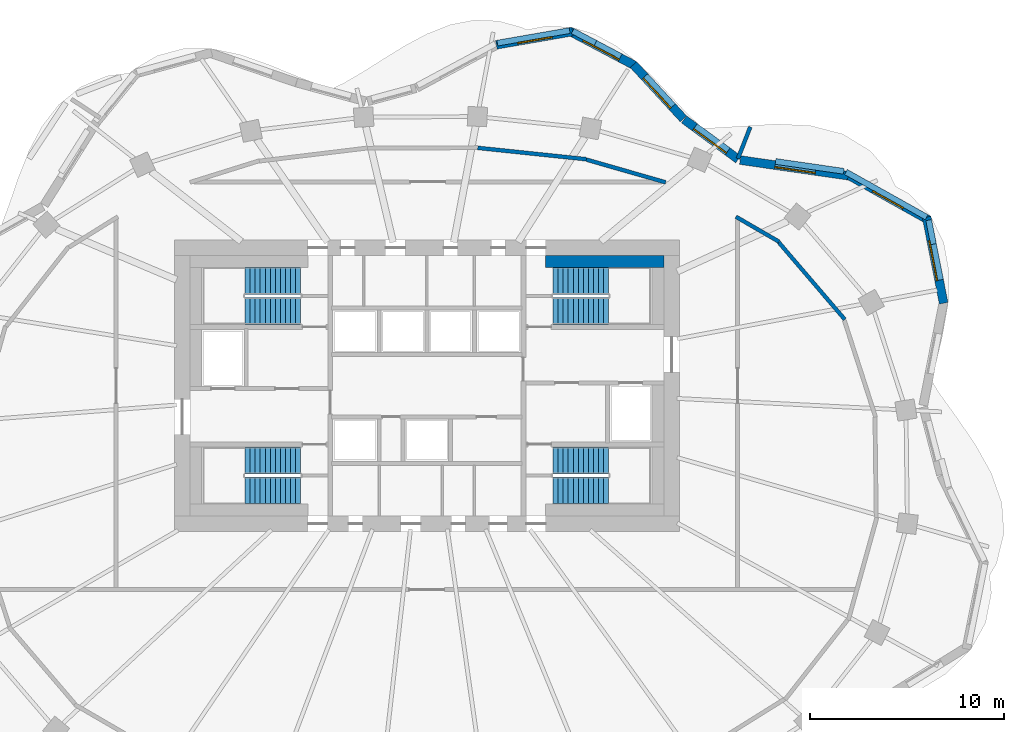
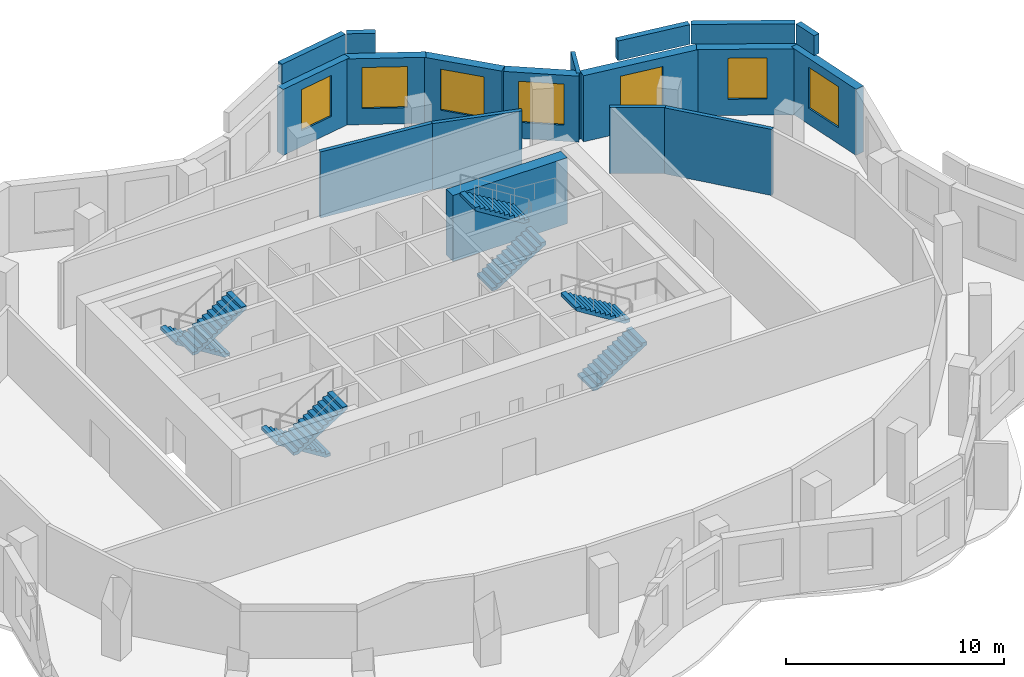
# One storey, part 7 of 8: 18 walls, 8 stair flights, 7 windows, 7 openings, 4 elements without a shape of their own.
"""IFC4 building model written with IfcOpenShell, lengths in metres."""

import ifcopenshell
import ifcopenshell.guid

model = None  # the IFC model being written
_history = None  # IfcOwnerHistory: only IFC2X3 demands one
_inside = {}  # id of a spatial element -> (the spatial element, [elements in it])
_under = {}  # id of a project, library or spatial element -> (it, [spatial elements below it])
_declared = {}  # id of a project -> (the project, [libraries it declares])
_typed = {}  # id of a type object -> (the type object, [elements of that type])
_made_of = {}  # id of a material, layer set ... -> (it, [elements and type objects made of it])


def new_model(schema):
    """Start an empty IFC model of exactly this schema.

    Asked for "IFC4X3", IfcOpenShell would pick the latest addendum, in which some entities
    have other attributes; the version numbers below select the first issue.
    IFC2X3 requires an IfcOwnerHistory on every rooted entity: one is made here for all.
    """
    global model, _history
    if schema == "IFC4X3":
        model = ifcopenshell.file(schema_version=(4, 3, 0, 0))
    else:
        model = ifcopenshell.file(schema=schema)
    _inside.clear()
    _under.clear()
    _declared.clear()
    _typed.clear()
    _made_of.clear()
    _history = None
    if model.schema == "IFC2X3":
        org = make("IfcOrganization", Name="unknown")
        user = make(
            "IfcPersonAndOrganization",
            ThePerson=make("IfcPerson", FamilyName="unknown"),
            TheOrganization=org,
        )
        app = make(
            "IfcApplication",
            ApplicationDeveloper=org,
            Version="unknown",
            ApplicationFullName="unknown",
            ApplicationIdentifier="unknown",
        )
        _history = make(
            "IfcOwnerHistory",
            OwningUser=user,
            OwningApplication=app,
            ChangeAction="ADDED",
            CreationDate=0,
        )
    return model


def make(cls, **values):
    """One entity of the class cls with the attributes given. An attribute that is None is left unset."""
    return model.create_entity(
        cls, **{name: value for name, value in values.items() if value is not None}
    )


def rooted(cls, **values):
    """An entity with a GlobalId (a new one), such as an element, a storey or a relation."""
    return make(cls, GlobalId=ifcopenshell.guid.new(), OwnerHistory=_history, **values)


def si_unit(unit_type, name, prefix=None):
    """IfcSIUnit, for example si_unit("LENGTHUNIT", "METRE", prefix="MILLI")."""
    return make("IfcSIUnit", UnitType=unit_type, Prefix=prefix, Name=name)


def assignment(units):
    """IfcUnitAssignment: the units of a project."""
    return None if units is None else make("IfcUnitAssignment", Units=units)


def point(xyz):
    """IfcCartesianPoint."""
    return None if xyz is None else make("IfcCartesianPoint", Coordinates=xyz)


def direction(xyz):
    """IfcDirection."""
    return None if xyz is None else make("IfcDirection", DirectionRatios=xyz)


def frame(location, z_axis=None, x_axis=None):
    """IfcAxis2Placement3D, a coordinate frame: its origin and axes. An axis left out is left unset."""
    return make(
        "IfcAxis2Placement3D",
        Location=point(location),
        Axis=direction(z_axis),
        RefDirection=direction(x_axis),
    )


def frame_2d(location, x_axis=None):
    """IfcAxis2Placement2D, a coordinate frame in the plane: its origin and x axis."""
    return make(
        "IfcAxis2Placement2D", Location=point(location), RefDirection=direction(x_axis)
    )


def origin():
    """The frame at (0, 0, 0) with its axes left unset."""
    return frame((0.0, 0.0, 0.0))


def place(relative_to, where):
    """IfcLocalPlacement: puts the frame where relative to a parent placement (None: the world)."""
    return make(
        "IfcLocalPlacement", PlacementRelTo=relative_to, RelativePlacement=where
    )


def context(
    kind, dimensions, precision=None, world=None, true_north=None, identifier=None
):
    """IfcGeometricRepresentationContext, for example the 3D "Model" context."""
    return make(
        "IfcGeometricRepresentationContext",
        ContextIdentifier=identifier,
        ContextType=kind,
        CoordinateSpaceDimension=dimensions,
        Precision=precision,
        WorldCoordinateSystem=world,
        TrueNorth=true_north,
    )


def subcontext(parent, identifier, kind, view, scale=None):
    """IfcGeometricRepresentationSubContext, for example "Body" below "Model"."""
    return make(
        "IfcGeometricRepresentationSubContext",
        ContextIdentifier=identifier,
        ContextType=kind,
        ParentContext=parent,
        TargetScale=scale,
        TargetView=view,
    )


def project(units=None, contexts=None):
    """IfcProject with its units and contexts."""
    return rooted(
        "IfcProject",
        Name="project",
        RepresentationContexts=contexts,
        UnitsInContext=assignment(units),
    )


def spatial(cls, under=None, at=None, **own):
    """A site, building, storey or space (cls), placed at a placement, below another one or the project."""
    s = rooted(cls, ObjectPlacement=at, **own)
    if under is not None:
        _under.setdefault(under.id(), (under, []))[1].append(s)
    return s


def polyline(points):
    """IfcPolyline through the points."""
    return make("IfcPolyline", Points=[point(p) for p in points])


def profile(cls, at=None, kind="AREA", **sizes):
    """A parametric profile (cls). Its sizes go by their IFC names, for example OverallWidth=200.0."""
    return make(cls, ProfileType=kind, Position=at, **sizes)


def rectangle(**sizes):
    """IfcRectangleProfileDef."""
    return profile("IfcRectangleProfileDef", **sizes)


def outline(outer, holes=None, kind="AREA"):
    """IfcArbitraryClosedProfileDef: a profile drawn as a closed curve; with holes, ...WithVoids."""
    if holes is None:
        return make("IfcArbitraryClosedProfileDef", ProfileType=kind, OuterCurve=outer)
    return make(
        "IfcArbitraryProfileDefWithVoids",
        ProfileType=kind,
        OuterCurve=outer,
        InnerCurves=holes,
    )


def extrude(swept, where, along, depth):
    """IfcExtrudedAreaSolid: the profile swept, set in the frame where, extruded along a direction by depth."""
    return make(
        "IfcExtrudedAreaSolid",
        SweptArea=swept,
        Position=where,
        ExtrudedDirection=direction(along),
        Depth=depth,
    )


def shape(context_of_items, identifier, shape_type, items):
    """IfcShapeRepresentation: the items that make up one representation, for example the "Body"."""
    return make(
        "IfcShapeRepresentation",
        ContextOfItems=context_of_items,
        RepresentationIdentifier=identifier,
        RepresentationType=shape_type,
        Items=items,
    )


def material(Name=None, Category=None):
    """IfcMaterial."""
    return make("IfcMaterial", Name=Name, Category=Category)


def layer(
    of_material, thickness, ventilated=None, Name=None, Category=None, Priority=None
):
    """IfcMaterialLayer: one layer of a wall or slab, of a material (None: an air gap)."""
    return make(
        "IfcMaterialLayer",
        Material=of_material,
        LayerThickness=thickness,
        IsVentilated=ventilated,
        Name=Name,
        Category=Category,
        Priority=Priority,
    )


def layer_set(layers, Name=None):
    """IfcMaterialLayerSet."""
    return make("IfcMaterialLayerSet", MaterialLayers=layers, LayerSetName=Name)


def made_of(thing, what):
    """Note that an element or type object is made of a material, layer set ...; save() writes the relation."""
    if what is not None:
        _made_of.setdefault(what.id(), (what, []))[1].append(thing)
    return thing


def type_object(cls, material=None, **own):
    """A type object (cls), such as IfcWallType, which elements share."""
    return made_of(rooted(cls, **own), material)


def element(
    cls,
    number,
    at=None,
    inside=None,
    cuts=None,
    type_object=None,
    material=None,
    context=None,
    identifier="Body",
    shape_type=None,
    held_by="IfcProductDefinitionShape",
    body=None,
    shapes=None,
    **own,
):
    """One element of the class cls, such as IfcWall. Its Tag is "e" and its number.

    at: its placement. inside: the storey or other place that contains it. cuts: it is an
    opening in that element (IfcRelVoidsElement). A single representation is given by context,
    identifier, shape_type and body (its items); several are given by shapes. held_by: the class
    of the entity that holds the representations. save() writes the other relations.
    """
    e = rooted(cls, Tag="e%d" % number, ObjectPlacement=at, **own)
    if body is not None:
        shapes = [shape(context, identifier, shape_type, body)]
    if shapes is not None:
        e.Representation = make(held_by, Representations=shapes)
    if inside is not None:
        _inside.setdefault(inside.id(), (inside, []))[1].append(e)
    if cuts is not None:
        rooted(
            "IfcRelVoidsElement", RelatingBuildingElement=cuts, RelatedOpeningElement=e
        )
    if type_object is not None:
        _typed.setdefault(type_object.id(), (type_object, []))[1].append(e)
    return made_of(e, material)


def fill(opening, filler):
    """IfcRelFillsElement: the door or window that sits in an opening."""
    return rooted(
        "IfcRelFillsElement",
        RelatingOpeningElement=opening,
        RelatedBuildingElement=filler,
    )


def aggregate(whole, parts):
    """IfcRelAggregates: a whole, such as a stair, and the parts it consists of."""
    return rooted("IfcRelAggregates", RelatingObject=whole, RelatedObjects=parts)


def save(model, path):
    """Write the relations noted so far, then the file.

    IfcRelAggregates (storeys below a building ...), IfcRelContainedInSpatialStructure (elements
    in a storey), IfcRelDefinesByType, IfcRelAssociatesMaterial and IfcRelDeclares: one each for
    every whole, place, type object, material and project.
    """
    for whole, parts in _under.values():
        aggregate(whole, parts)
    for where, things in _inside.values():
        rooted(
            "IfcRelContainedInSpatialStructure",
            RelatedElements=things,
            RelatingStructure=where,
        )
    for kind, things in _typed.values():
        rooted("IfcRelDefinesByType", RelatedObjects=things, RelatingType=kind)
    for what, things in _made_of.values():
        rooted("IfcRelAssociatesMaterial", RelatedObjects=things, RelatingMaterial=what)
    for by, libraries in _declared.values():
        rooted("IfcRelDeclares", RelatingContext=by, RelatedDefinitions=libraries)
    model.write(path)


model = new_model("IFC4")

# Units and contexts
model_context = context("Model", 3, precision=1e-05, world=origin(), true_north=direction((0.0, 1.0)))
body_context = subcontext(model_context, "Body", "Model", "MODEL_VIEW")
ifc_project = project(units=[si_unit("LENGTHUNIT", "METRE"), si_unit("AREAUNIT", "SQUARE_METRE"), si_unit("VOLUMEUNIT", "CUBIC_METRE"), si_unit("PLANEANGLEUNIT", "RADIAN"), si_unit("MASSUNIT", "GRAM", prefix="KILO")], contexts=[model_context])

# Site, building, storey
site_placement = place(None, origin())
site = spatial("IfcSite", under=ifc_project, at=site_placement, CompositionType="ELEMENT")
building_placement = place(site_placement, origin())
building = spatial("IfcBuilding", under=site, at=building_placement, Name="Rubra Terraces Tower", CompositionType="ELEMENT")
storey_placement = place(building_placement, frame((0.0, 0.0, 193.5)))
storey = spatial("IfcBuildingStorey", under=building, at=storey_placement, Name="L47", CompositionType="ELEMENT", Elevation=193.5)

# Wall, opening, window
ifc_material_1 = material(Name="Brick masonry red-brown", Category="masonry")
ifc_layer_1 = layer(ifc_material_1, 0.449951171875)
ifc_layer_set_1 = layer_set([ifc_layer_1], Name="Brick masonry red-brown")
wall_type_1 = type_object("IfcWallType", Name="Brick facade wall 450", PredefinedType="SOLIDWALL", material=ifc_layer_set_1)
wall_1_placement = place(storey_placement, frame((26.609619140625, 8.747802734375, 0.0), z_axis=(0.0, 0.0, 1.0), x_axis=(-0.193923166402, 0.981016720312, 0.0)))
wall_1 = element("IfcWall", 1, at=wall_1_placement, inside=storey, type_object=wall_type_1, Name="Facade wall L47 bay 3", PredefinedType="SOLIDWALL", context=body_context, shape_type="SweptSolid", body=[
    extrude(rectangle(XDim=4.518310546875, YDim=0.449951171875, at=frame_2d((2.25927734375, 0.0))), origin(), (0.0, 0.0, 1.0), 3.699951171875),
])
opening_1_placement = place(wall_1_placement, frame((1.209228515625, 0.0, 0.89990234375)))
opening_1 = element("IfcOpeningElement", 2, at=opening_1_placement, cuts=wall_1, Name="Opening W1B", PredefinedType="OPENING", context=body_context, shape_type="SweptSolid", body=[
    extrude(rectangle(XDim=2.10009765625, YDim=2.300048828125, at=frame_2d((1.050048828125, 1.14990234375))), frame((0.0, 0.23486328125, 0.0), z_axis=(0.0, -1.0, 0.0), x_axis=(1.0, 0.0, 0.0)), (0.0, 0.0, 1.0), 0.469970703125),
])
ifc_material_2 = material(Name="Clear glass in aluminium frame", Category="aluminium")
window_type_1 = type_object("IfcWindowType", Name="Fixed deep-set window tall storey 2100 x 2300", PartitioningType="SINGLE_PANEL", PredefinedType="WINDOW", material=ifc_material_2)
window_1_placement = place(opening_1_placement, origin())
window_1 = element("IfcWindow", 3, at=window_1_placement, inside=storey, type_object=window_type_1, Name="Window L47 bay 3", OverallHeight=2.300048828125, OverallWidth=2.10009765625, PartitioningType="SINGLE_PANEL", PredefinedType="WINDOW", context=body_context, shape_type="SweptSolid", body=[
    extrude(rectangle(XDim=2.10009765625, YDim=2.300048828125, at=frame_2d((1.050048828125, 1.14990234375))), frame((0.0, 0.135009765625, 0.0), z_axis=(0.0, -1.0, 0.0), x_axis=(1.0, 0.0, 0.0)), (0.0, 0.0, 1.0), 0.06005859375),
])
fill(opening_1, window_1)

wall_2_placement = place(storey_placement, frame((25.843994140625, 13.027587890625, 0.0), z_axis=(0.0, 0.0, 1.0), x_axis=(-0.872346398261, 0.488888291373, 0.0)))
wall_2 = element("IfcWall", 4, at=wall_2_placement, inside=storey, type_object=wall_type_1, Name="Facade wall L47 bay 4", PredefinedType="SOLIDWALL", context=body_context, shape_type="SweptSolid", body=[
    extrude(rectangle(XDim=4.696044921875, YDim=0.449951171875, at=frame_2d((2.34814453125, 0.0))), origin(), (0.0, 0.0, 1.0), 3.699951171875),
])
opening_2_placement = place(wall_2_placement, frame((1.447998046875, 0.0, 0.89990234375)))
opening_2 = element("IfcOpeningElement", 5, at=opening_2_placement, cuts=wall_2, Name="Opening W6B", PredefinedType="OPENING", context=body_context, shape_type="SweptSolid", body=[
    extrude(rectangle(XDim=1.800048828125, YDim=2.300048828125, at=frame_2d((0.89990234375, 1.14990234375))), frame((0.0, 0.23486328125, 0.0), z_axis=(0.0, -1.0, 0.0), x_axis=(1.0, 0.0, 0.0)), (0.0, 0.0, 1.0), 0.469970703125),
])
window_type_2 = type_object("IfcWindowType", Name="Fixed deep-set window at wind fin tall storey 1800 x 2300", PartitioningType="SINGLE_PANEL", PredefinedType="WINDOW", material=ifc_material_2)
window_2_placement = place(opening_2_placement, origin())
window_2 = element("IfcWindow", 6, at=window_2_placement, inside=storey, type_object=window_type_2, Name="Window L47 bay 4", OverallHeight=2.300048828125, OverallWidth=1.800048828125, PartitioningType="SINGLE_PANEL", PredefinedType="WINDOW", context=body_context, shape_type="SweptSolid", body=[
    extrude(rectangle(XDim=1.800048828125, YDim=2.300048828125, at=frame_2d((0.89990234375, 1.14990234375))), frame((0.0, 0.135009765625, 0.0), z_axis=(0.0, -1.0, 0.0), x_axis=(1.0, 0.0, 0.0)), (0.0, 0.0, 1.0), 0.06005859375),
])
fill(opening_2, window_2)

wall_3_placement = place(storey_placement, frame((21.8251953125, 15.297119140625, 0.0), z_axis=(0.0, 0.0, 1.0), x_axis=(-0.98971474215, 0.143054986527, 0.0)))
wall_3 = element("IfcWall", 7, at=wall_3_placement, inside=storey, type_object=wall_type_1, Name="Facade wall L47 bay 5", PredefinedType="SOLIDWALL", context=body_context, shape_type="SweptSolid", body=[
    extrude(rectangle(XDim=5.7529296875, YDim=0.449951171875, at=frame_2d((2.87646484375, 0.0))), origin(), (0.0, 0.0, 1.0), 3.699951171875),
])
opening_3_placement = place(wall_3_placement, frame((1.826416015625, 0.0, 0.89990234375)))
opening_3 = element("IfcOpeningElement", 8, at=opening_3_placement, cuts=wall_3, Name="Opening W1B", PredefinedType="OPENING", context=body_context, shape_type="SweptSolid", body=[
    extrude(rectangle(XDim=2.10009765625, YDim=2.300048828125, at=frame_2d((1.050048828125, 1.14990234375))), frame((0.0, 0.23486328125, 0.0), z_axis=(0.0, -1.0, 0.0), x_axis=(1.0, 0.0, 0.0)), (0.0, 0.0, 1.0), 0.469970703125),
])
window_3_placement = place(opening_3_placement, origin())
window_3 = element("IfcWindow", 9, at=window_3_placement, inside=storey, type_object=window_type_1, Name="Window L47 bay 5", OverallHeight=2.300048828125, OverallWidth=2.10009765625, PartitioningType="SINGLE_PANEL", PredefinedType="WINDOW", context=body_context, shape_type="SweptSolid", body=[
    extrude(rectangle(XDim=2.10009765625, YDim=2.300048828125, at=frame_2d((1.050048828125, 1.14990234375))), frame((0.0, 0.135009765625, 0.0), z_axis=(0.0, -1.0, 0.0), x_axis=(1.0, 0.0, 0.0)), (0.0, 0.0, 1.0), 0.06005859375),
])
fill(opening_3, window_3)

wall_4_placement = place(storey_placement, frame((16.03564453125, 16.15771484375, 0.0), z_axis=(0.0, 0.0, 1.0), x_axis=(-0.805181432967, 0.593028549064, 0.0)))
wall_4 = element("IfcWall", 10, at=wall_4_placement, inside=storey, type_object=wall_type_1, Name="Facade wall L47 bay 6", PredefinedType="SOLIDWALL", context=body_context, shape_type="SweptSolid", body=[
    extrude(rectangle(XDim=3.468505859375, YDim=0.449951171875, at=frame_2d((1.734375, 0.0))), origin(), (0.0, 0.0, 1.0), 3.699951171875),
])
opening_4_placement = place(wall_4_placement, frame((0.684326171875, 0.0, 0.89990234375)))
opening_4 = element("IfcOpeningElement", 11, at=opening_4_placement, cuts=wall_4, Name="Opening W1B", PredefinedType="OPENING", context=body_context, shape_type="SweptSolid", body=[
    extrude(rectangle(XDim=2.10009765625, YDim=2.300048828125, at=frame_2d((1.050048828125, 1.14990234375))), frame((0.0, 0.23486328125, 0.0), z_axis=(0.0, -1.0, 0.0), x_axis=(1.0, 0.0, 0.0)), (0.0, 0.0, 1.0), 0.469970703125),
])
window_4_placement = place(opening_4_placement, origin())
window_4 = element("IfcWindow", 12, at=window_4_placement, inside=storey, type_object=window_type_1, Name="Window L47 bay 6", OverallHeight=2.300048828125, OverallWidth=2.10009765625, PartitioningType="SINGLE_PANEL", PredefinedType="WINDOW", context=body_context, shape_type="SweptSolid", body=[
    extrude(rectangle(XDim=2.10009765625, YDim=2.300048828125, at=frame_2d((1.050048828125, 1.14990234375))), frame((0.0, 0.135009765625, 0.0), z_axis=(0.0, -1.0, 0.0), x_axis=(1.0, 0.0, 0.0)), (0.0, 0.0, 1.0), 0.06005859375),
])
fill(opening_4, window_4)

wall_5_placement = place(storey_placement, frame((13.20947265625, 18.242919921875, 0.0), z_axis=(0.0, 0.0, 1.0), x_axis=(-0.677612152497, 0.735419452278, 0.0)))
wall_5 = element("IfcWall", 13, at=wall_5_placement, inside=storey, type_object=wall_type_1, Name="Facade wall L47 bay 7", PredefinedType="SOLIDWALL", context=body_context, shape_type="SweptSolid", body=[
    extrude(rectangle(XDim=3.796875, YDim=0.449951171875, at=frame_2d((1.8984375, 0.0))), origin(), (0.0, 0.0, 1.0), 3.699951171875),
])
opening_5_placement = place(wall_5_placement, frame((0.848388671875, 0.0, 0.89990234375)))
opening_5 = element("IfcOpeningElement", 14, at=opening_5_placement, cuts=wall_5, Name="Opening W1B", PredefinedType="OPENING", context=body_context, shape_type="SweptSolid", body=[
    extrude(rectangle(XDim=2.10009765625, YDim=2.300048828125, at=frame_2d((1.050048828125, 1.14990234375))), frame((0.0, 0.23486328125, 0.0), z_axis=(0.0, -1.0, 0.0), x_axis=(1.0, 0.0, 0.0)), (0.0, 0.0, 1.0), 0.469970703125),
])
window_5_placement = place(opening_5_placement, origin())
window_5 = element("IfcWindow", 15, at=window_5_placement, inside=storey, type_object=window_type_1, Name="Window L47 bay 7", OverallHeight=2.300048828125, OverallWidth=2.10009765625, PartitioningType="SINGLE_PANEL", PredefinedType="WINDOW", context=body_context, shape_type="SweptSolid", body=[
    extrude(rectangle(XDim=2.10009765625, YDim=2.300048828125, at=frame_2d((1.050048828125, 1.14990234375))), frame((0.0, 0.135009765625, 0.0), z_axis=(0.0, -1.0, 0.0), x_axis=(1.0, 0.0, 0.0)), (0.0, 0.0, 1.0), 0.06005859375),
])
fill(opening_5, window_5)

wall_6_placement = place(storey_placement, frame((10.692626953125, 20.9931640625, 0.0), z_axis=(0.0, 0.0, 1.0), x_axis=(-0.883817790726, 0.46783128668, 0.0)))
wall_6 = element("IfcWall", 16, at=wall_6_placement, inside=storey, type_object=wall_type_1, Name="Facade wall L47 bay 8", PredefinedType="SOLIDWALL", context=body_context, shape_type="SweptSolid", body=[
    extrude(rectangle(XDim=3.776611328125, YDim=0.449951171875, at=frame_2d((1.88818359375, 0.0))), origin(), (0.0, 0.0, 1.0), 3.699951171875),
])
opening_6_placement = place(wall_6_placement, frame((0.83837890625, 0.0, 0.89990234375)))
opening_6 = element("IfcOpeningElement", 17, at=opening_6_placement, cuts=wall_6, Name="Opening W1B", PredefinedType="OPENING", context=body_context, shape_type="SweptSolid", body=[
    extrude(rectangle(XDim=2.10009765625, YDim=2.300048828125, at=frame_2d((1.050048828125, 1.14990234375))), frame((0.0, 0.23486328125, 0.0), z_axis=(0.0, -1.0, 0.0), x_axis=(1.0, 0.0, 0.0)), (0.0, 0.0, 1.0), 0.469970703125),
])
window_6_placement = place(opening_6_placement, origin())
window_6 = element("IfcWindow", 18, at=window_6_placement, inside=storey, type_object=window_type_1, Name="Window L47 bay 8", OverallHeight=2.300048828125, OverallWidth=2.10009765625, PartitioningType="SINGLE_PANEL", PredefinedType="WINDOW", context=body_context, shape_type="SweptSolid", body=[
    extrude(rectangle(XDim=2.10009765625, YDim=2.300048828125, at=frame_2d((1.050048828125, 1.14990234375))), frame((0.0, 0.135009765625, 0.0), z_axis=(0.0, -1.0, 0.0), x_axis=(1.0, 0.0, 0.0)), (0.0, 0.0, 1.0), 0.06005859375),
])
fill(opening_6, window_6)

wall_7_placement = place(storey_placement, frame((7.49853515625, 22.7373046875, 0.0), z_axis=(0.0, 0.0, 1.0), x_axis=(-0.98521220506, -0.171338585849, 0.0)))
wall_7 = element("IfcWall", 19, at=wall_7_placement, inside=storey, type_object=wall_type_1, Name="Facade wall L47 bay 9", PredefinedType="SOLIDWALL", context=body_context, shape_type="SweptSolid", body=[
    extrude(rectangle(XDim=3.979736328125, YDim=0.449951171875, at=frame_2d((1.98974609375, 0.0))), origin(), (0.0, 0.0, 1.0), 3.699951171875),
])
opening_7_placement = place(wall_7_placement, frame((1.08984375, 0.0, 0.89990234375)))
opening_7 = element("IfcOpeningElement", 20, at=opening_7_placement, cuts=wall_7, Name="Opening W6B", PredefinedType="OPENING", context=body_context, shape_type="SweptSolid", body=[
    extrude(rectangle(XDim=1.800048828125, YDim=2.300048828125, at=frame_2d((0.89990234375, 1.14990234375))), frame((0.0, 0.23486328125, 0.0), z_axis=(0.0, -1.0, 0.0), x_axis=(1.0, 0.0, 0.0)), (0.0, 0.0, 1.0), 0.469970703125),
])
window_7_placement = place(opening_7_placement, origin())
window_7 = element("IfcWindow", 21, at=window_7_placement, inside=storey, type_object=window_type_2, Name="Window L47 bay 9", OverallHeight=2.300048828125, OverallWidth=1.800048828125, PartitioningType="SINGLE_PANEL", PredefinedType="WINDOW", context=body_context, shape_type="SweptSolid", body=[
    extrude(rectangle(XDim=1.800048828125, YDim=2.300048828125, at=frame_2d((0.89990234375, 1.14990234375))), frame((0.0, 0.135009765625, 0.0), z_axis=(0.0, -1.0, 0.0), x_axis=(1.0, 0.0, 0.0)), (0.0, 0.0, 1.0), 0.06005859375),
])
fill(opening_7, window_7)

# Walls
ifc_layer_2 = layer(ifc_material_1, 0.300048828125)
ifc_layer_set_2 = layer_set([ifc_layer_2], Name="Brick masonry red-brown")
wall_type_2 = type_object("IfcWallType", Name="Brick parapet 300", PredefinedType="PARAPET", material=ifc_layer_set_2)
wall_8_placement = place(storey_placement, frame((26.084228515625, 11.791748046875, 3.89990234375), z_axis=(0.0, 0.0, 1.0), x_axis=(-0.193846183911, 0.981031934742, 0.0)))
element("IfcWall", 22, at=wall_8_placement, inside=storey, type_object=wall_type_2, Name="Parapet L47 bay 3", PredefinedType="PARAPET", context=body_context, shape_type="SweptSolid", body=[
    extrude(rectangle(XDim=1.261962890625, YDim=0.300048828125, at=frame_2d((0.630859375, 0.0))), origin(), (0.0, 0.0, 1.0), 1.10009765625),
])
wall_9_placement = place(storey_placement, frame((25.733642578125, 13.175537109375, 3.89990234375), z_axis=(0.0, 0.0, 1.0), x_axis=(-0.872345142407, 0.488890532245, 0.0)))
element("IfcWall", 23, at=wall_9_placement, inside=storey, type_object=wall_type_2, Name="Parapet L47 bay 4", PredefinedType="PARAPET", context=body_context, shape_type="SweptSolid", body=[
    extrude(rectangle(XDim=4.762939453125, YDim=0.300048828125, at=frame_2d((2.38134765625, 0.0))), origin(), (0.0, 0.0, 1.0), 1.10009765625),
])
wall_10_placement = place(storey_placement, frame((21.470703125, 15.540771484375, 3.89990234375), z_axis=(0.0, 0.0, 1.0), x_axis=(-0.989713234374, 0.143065417571, 0.0)))
element("IfcWall", 24, at=wall_10_placement, inside=storey, type_object=wall_type_2, Name="Parapet L47 bay 5", PredefinedType="PARAPET", context=body_context, shape_type="SweptSolid", body=[
    extrude(rectangle(XDim=3.5546875, YDim=0.300048828125, at=frame_2d((1.77734375, 0.0))), origin(), (0.0, 0.0, 1.0), 1.10009765625),
])
wall_11_placement = place(storey_placement, frame((8.681640625, 22.142578125, 3.89990234375), z_axis=(0.0, 0.0, 1.0), x_axis=(-0.883787916347, 0.467887720419, 0.0)))
element("IfcWall", 25, at=wall_11_placement, inside=storey, type_object=wall_type_2, Name="Parapet L47 bay 8", PredefinedType="PARAPET", context=body_context, shape_type="SweptSolid", body=[
    extrude(rectangle(XDim=1.3291015625, YDim=0.300048828125, at=frame_2d((0.66455078125, 0.0))), origin(), (0.0, 0.0, 1.0), 1.10009765625),
])
wall_12_placement = place(storey_placement, frame((7.35498046875, 22.78857421875, 3.89990234375), z_axis=(0.0, 0.0, 1.0), x_axis=(-0.985197529684, -0.171422949176, 0.0)))
element("IfcWall", 26, at=wall_12_placement, inside=storey, type_object=wall_type_2, Name="Parapet L47 bay 9", PredefinedType="PARAPET", context=body_context, shape_type="SweptSolid", body=[
    extrude(rectangle(XDim=3.77978515625, YDim=0.300048828125, at=frame_2d((1.889892578125, 0.0))), origin(), (0.0, 0.0, 1.0), 1.10009765625),
])
ifc_layer_3 = layer(ifc_material_1, 0.199951171875)
ifc_layer_set_3 = layer_set([ifc_layer_3], Name="Brick masonry red-brown")
wall_type_3 = type_object("IfcWallType", Name="Brick wind fin 200", PredefinedType="SOLIDWALL", material=ifc_layer_set_3)
wall_13_placement = place(storey_placement, frame((16.01904296875, 16.195068359375, 0.0), z_axis=(0.0, 0.0, 1.0), x_axis=(0.362641522028, 0.931928713208, 0.0)))
element("IfcWall", 27, at=wall_13_placement, inside=storey, type_object=wall_type_3, Name="Wind fin L47 4", PredefinedType="SOLIDWALL", context=body_context, shape_type="SweptSolid", body=[
    extrude(rectangle(XDim=1.749755859375, YDim=0.199951171875, at=frame_2d((0.875, 0.0))), origin(), (0.0, 0.0, 1.0), 3.699951171875),
])
ifc_material_3 = material(Name="Concrete C40", Category="concrete")
ifc_layer_4 = layer(ifc_material_3, 0.60009765625)
ifc_layer_set_4 = layer_set([ifc_layer_4], Name="Concrete C40")
wall_type_4 = type_object("IfcWallType", Name="Core lining wall 600 concrete", PredefinedType="SOLIDWALL", material=ifc_layer_set_4)
wall_14_placement = place(storey_placement, frame((12.199951171875, 10.89990234375, 0.0), z_axis=(0.0, 0.0, 1.0), x_axis=(-1.0, 0.0, 0.0)))
element("IfcWall", 28, at=wall_14_placement, inside=storey, type_object=wall_type_4, Name="CORE LINING WALL L47", PredefinedType="SOLIDWALL", context=body_context, shape_type="SweptSolid", body=[
    extrude(rectangle(XDim=6.079833984375, YDim=0.60009765625, at=frame_2d((3.0400390625, 0.0))), origin(), (0.0, 0.0, 1.0), 3.699951171875),
])
ifc_material_4 = material(Name="Blockwork", Category="masonry")
ifc_layer_5 = layer(ifc_material_4, 0.199951171875)
ifc_layer_set_5 = layer_set([ifc_layer_5], Name="Blockwork")
wall_type_5 = type_object("IfcWallType", Name="Corridor partition 200 blockwork", PredefinedType="PARTITIONING", material=ifc_layer_set_5)
wall_15_placement = place(storey_placement, frame((15.9130859375, 13.201904296875, 0.0), z_axis=(0.0, 0.0, 1.0), x_axis=(0.86524014554, -0.501357647339, 0.0)))
element("IfcWall", 29, at=wall_15_placement, inside=storey, type_object=wall_type_5, Name="Partition wall", PredefinedType="PARTITIONING", context=body_context, shape_type="SweptSolid", body=[
    extrude(rectangle(XDim=2.574951171875, YDim=0.199951171875, at=frame_2d((1.28759765625, 0.0))), origin(), (0.0, 0.0, 1.0), 3.699951171875),
])
wall_16_placement = place(storey_placement, frame((18.118896484375, 11.885009765625, 0.0), z_axis=(0.0, 0.0, 1.0), x_axis=(0.650510608515, -0.759497168006, 0.0)))
element("IfcWall", 30, at=wall_16_placement, inside=storey, type_object=wall_type_5, Name="Partition wall", PredefinedType="PARTITIONING", context=body_context, shape_type="SweptSolid", body=[
    extrude(rectangle(XDim=5.228271484375, YDim=0.199951171875, at=frame_2d((2.6142578125, 0.0))), origin(), (0.0, 0.0, 1.0), 3.699951171875),
])
wall_17_placement = place(storey_placement, frame((2.62109375, 16.748046875, 0.0), z_axis=(0.0, 0.0, 1.0), x_axis=(0.99455907377, -0.104174127222, 0.0)))
element("IfcWall", 31, at=wall_17_placement, inside=storey, type_object=wall_type_5, Name="Partition wall", PredefinedType="PARTITIONING", context=body_context, shape_type="SweptSolid", body=[
    extrude(rectangle(XDim=5.62451171875, YDim=0.199951171875, at=frame_2d((2.812255859375, 0.0))), origin(), (0.0, 0.0, 1.0), 3.699951171875),
])
wall_18_placement = place(storey_placement, frame((8.2119140625, 16.14404296875, 0.0), z_axis=(0.0, 0.0, 1.0), x_axis=(0.961195849484, -0.275866886261, 0.0)))
element("IfcWall", 32, at=wall_18_placement, inside=storey, type_object=wall_type_5, Name="Partition wall", PredefinedType="PARTITIONING", context=body_context, shape_type="SweptSolid", body=[
    extrude(rectangle(XDim=4.248779296875, YDim=0.199951171875, at=frame_2d((2.12451171875, 0.0))), origin(), (0.0, 0.0, 1.0), 3.699951171875),
])

# Stair, stair flights
stair_type = type_object("IfcStairType", Name="Core stair 1400", PredefinedType="HALF_TURN_STAIR", material=ifc_material_3)
stair_1_placement = place(storey_placement, origin())
stair_1 = element("IfcStair", 33, at=stair_1_placement, inside=storey, type_object=stair_type, Name="L47 Exit stair S1", PredefinedType="HALF_TURN_STAIR")
stair_flight_type = type_object("IfcStairFlightType", Name="Core stair flight 1400", PredefinedType="STRAIGHT", material=ifc_material_3)
stair_flight_1_placement = place(storey_placement, frame((-6.5, 0.64990234375, 0.0), z_axis=(0.0, 0.0, 1.0), x_axis=(-1.0, 0.0, 0.0)))
stair_flight_1 = element("IfcStairFlight", 34, at=stair_flight_1_placement, type_object=stair_flight_type, Name="S1 flight 1", NumberOfRisers=12, NumberOfTreads=11, PredefinedType="STRAIGHT", RiserHeight=0.1625, TreadLength=0.26, context=body_context, shape_type="SweptSolid", body=[
    extrude(outline(polyline([(0.0, 0.0), (0.0, 0.16259765625), (0.260009765625, 0.16259765625), (0.260009765625, 0.324951171875), (0.52001953125, 0.324951171875), (0.52001953125, 0.487548828125), (0.780029296875, 0.487548828125), (0.780029296875, 0.64990234375), (1.0400390625, 0.64990234375), (1.0400390625, 0.8125), (1.300048828125, 0.8125), (1.300048828125, 0.97509765625), (1.56005859375, 0.97509765625), (1.56005859375, 1.137451171875), (1.820068359375, 1.137451171875), (1.820068359375, 1.300048828125), (2.080078125, 1.300048828125), (2.080078125, 1.46240234375), (2.340087890625, 1.46240234375), (2.340087890625, 1.625), (2.60009765625, 1.625), (2.60009765625, 1.78759765625), (2.860107421875, 1.78759765625), (2.860107421875, 1.949951171875), (2.860107421875, 1.61083984375), (0.28271484375, 0.0), (0.0, 0.0)])), frame((0.0, 0.699951171875, 0.0), z_axis=(0.0, -1.0, 0.0), x_axis=(1.0, 0.0, 0.0)), (0.0, 0.0, 1.0), 1.39990234375),
])
stair_flight_2_placement = place(storey_placement, frame((-9.360107421875, -0.89990234375, 1.949951171875), z_axis=(0.0, 0.0, 1.0), x_axis=(1.0, 0.0, 0.0)))
stair_flight_2 = element("IfcStairFlight", 35, at=stair_flight_2_placement, type_object=stair_flight_type, Name="S1 flight 2", NumberOfRisers=12, NumberOfTreads=11, PredefinedType="STRAIGHT", RiserHeight=0.1625, TreadLength=0.26, context=body_context, shape_type="SweptSolid", body=[
    extrude(outline(polyline([(0.0, 0.0), (0.0, 0.16259765625), (0.260009765625, 0.16259765625), (0.260009765625, 0.324951171875), (0.52001953125, 0.324951171875), (0.52001953125, 0.487548828125), (0.780029296875, 0.487548828125), (0.780029296875, 0.64990234375), (1.0400390625, 0.64990234375), (1.0400390625, 0.8125), (1.300048828125, 0.8125), (1.300048828125, 0.97509765625), (1.56005859375, 0.97509765625), (1.56005859375, 1.137451171875), (1.820068359375, 1.137451171875), (1.820068359375, 1.300048828125), (2.080078125, 1.300048828125), (2.080078125, 1.46240234375), (2.340087890625, 1.46240234375), (2.340087890625, 1.625), (2.60009765625, 1.625), (2.60009765625, 1.78759765625), (2.860107421875, 1.78759765625), (2.860107421875, 1.949951171875), (2.860107421875, 1.61083984375), (0.28271484375, 0.0), (0.0, 0.0)])), frame((0.0, 0.699951171875, 0.0), z_axis=(0.0, -1.0, 0.0), x_axis=(1.0, 0.0, 0.0)), (0.0, 0.0, 1.0), 1.39990234375),
])
aggregate(stair_1, [stair_flight_1, stair_flight_2])

stair_2_placement = place(storey_placement, origin())
stair_2 = element("IfcStair", 36, at=stair_2_placement, inside=storey, type_object=stair_type, Name="L47 Exit stair S2", PredefinedType="HALF_TURN_STAIR")
stair_flight_3_placement = place(storey_placement, frame((-6.5, 9.89990234375, 0.0), z_axis=(0.0, 0.0, 1.0), x_axis=(-1.0, 0.0, 0.0)))
stair_flight_3 = element("IfcStairFlight", 37, at=stair_flight_3_placement, type_object=stair_flight_type, Name="S2 flight 1", NumberOfRisers=12, NumberOfTreads=11, PredefinedType="STRAIGHT", RiserHeight=0.1625, TreadLength=0.26, context=body_context, shape_type="SweptSolid", body=[
    extrude(outline(polyline([(0.0, 0.0), (0.0, 0.16259765625), (0.260009765625, 0.16259765625), (0.260009765625, 0.324951171875), (0.52001953125, 0.324951171875), (0.52001953125, 0.487548828125), (0.780029296875, 0.487548828125), (0.780029296875, 0.64990234375), (1.0400390625, 0.64990234375), (1.0400390625, 0.8125), (1.300048828125, 0.8125), (1.300048828125, 0.97509765625), (1.56005859375, 0.97509765625), (1.56005859375, 1.137451171875), (1.820068359375, 1.137451171875), (1.820068359375, 1.300048828125), (2.080078125, 1.300048828125), (2.080078125, 1.46240234375), (2.340087890625, 1.46240234375), (2.340087890625, 1.625), (2.60009765625, 1.625), (2.60009765625, 1.78759765625), (2.860107421875, 1.78759765625), (2.860107421875, 1.949951171875), (2.860107421875, 1.61083984375), (0.28271484375, 0.0), (0.0, 0.0)])), frame((0.0, 0.699951171875, 0.0), z_axis=(0.0, -1.0, 0.0), x_axis=(1.0, 0.0, 0.0)), (0.0, 0.0, 1.0), 1.39990234375),
])
stair_flight_4_placement = place(storey_placement, frame((-9.360107421875, 8.35009765625, 1.949951171875), z_axis=(0.0, 0.0, 1.0), x_axis=(1.0, 0.0, 0.0)))
stair_flight_4 = element("IfcStairFlight", 38, at=stair_flight_4_placement, type_object=stair_flight_type, Name="S2 flight 2", NumberOfRisers=12, NumberOfTreads=11, PredefinedType="STRAIGHT", RiserHeight=0.1625, TreadLength=0.26, context=body_context, shape_type="SweptSolid", body=[
    extrude(outline(polyline([(0.0, 0.0), (0.0, 0.16259765625), (0.260009765625, 0.16259765625), (0.260009765625, 0.324951171875), (0.52001953125, 0.324951171875), (0.52001953125, 0.487548828125), (0.780029296875, 0.487548828125), (0.780029296875, 0.64990234375), (1.0400390625, 0.64990234375), (1.0400390625, 0.8125), (1.300048828125, 0.8125), (1.300048828125, 0.97509765625), (1.56005859375, 0.97509765625), (1.56005859375, 1.137451171875), (1.820068359375, 1.137451171875), (1.820068359375, 1.300048828125), (2.080078125, 1.300048828125), (2.080078125, 1.46240234375), (2.340087890625, 1.46240234375), (2.340087890625, 1.625), (2.60009765625, 1.625), (2.60009765625, 1.78759765625), (2.860107421875, 1.78759765625), (2.860107421875, 1.949951171875), (2.860107421875, 1.61083984375), (0.28271484375, 0.0), (0.0, 0.0)])), frame((0.0, 0.699951171875, 0.0), z_axis=(0.0, -1.0, 0.0), x_axis=(1.0, 0.0, 0.0)), (0.0, 0.0, 1.0), 1.39990234375),
])
aggregate(stair_2, [stair_flight_3, stair_flight_4])

stair_3_placement = place(storey_placement, origin())
stair_3 = element("IfcStair", 39, at=stair_3_placement, inside=storey, type_object=stair_type, Name="L47 Exit stair S3", PredefinedType="HALF_TURN_STAIR")
stair_flight_5_placement = place(storey_placement, frame((6.5, 8.35009765625, 0.0), z_axis=(0.0, 0.0, 1.0), x_axis=(1.0, 0.0, 0.0)))
stair_flight_5 = element("IfcStairFlight", 40, at=stair_flight_5_placement, type_object=stair_flight_type, Name="S3 flight 1", NumberOfRisers=12, NumberOfTreads=11, PredefinedType="STRAIGHT", RiserHeight=0.1625, TreadLength=0.26, context=body_context, shape_type="SweptSolid", body=[
    extrude(outline(polyline([(0.0, 0.0), (0.0, 0.16259765625), (0.260009765625, 0.16259765625), (0.260009765625, 0.324951171875), (0.52001953125, 0.324951171875), (0.52001953125, 0.487548828125), (0.780029296875, 0.487548828125), (0.780029296875, 0.64990234375), (1.0400390625, 0.64990234375), (1.0400390625, 0.8125), (1.300048828125, 0.8125), (1.300048828125, 0.97509765625), (1.56005859375, 0.97509765625), (1.56005859375, 1.137451171875), (1.820068359375, 1.137451171875), (1.820068359375, 1.300048828125), (2.080078125, 1.300048828125), (2.080078125, 1.46240234375), (2.340087890625, 1.46240234375), (2.340087890625, 1.625), (2.60009765625, 1.625), (2.60009765625, 1.78759765625), (2.860107421875, 1.78759765625), (2.860107421875, 1.949951171875), (2.860107421875, 1.61083984375), (0.28271484375, 0.0), (0.0, 0.0)])), frame((0.0, 0.699951171875, 0.0), z_axis=(0.0, -1.0, 0.0), x_axis=(1.0, 0.0, 0.0)), (0.0, 0.0, 1.0), 1.39990234375),
])
stair_flight_6_placement = place(storey_placement, frame((9.360107421875, 9.89990234375, 1.949951171875), z_axis=(0.0, 0.0, 1.0), x_axis=(-1.0, 0.0, 0.0)))
stair_flight_6 = element("IfcStairFlight", 41, at=stair_flight_6_placement, type_object=stair_flight_type, Name="S3 flight 2", NumberOfRisers=12, NumberOfTreads=11, PredefinedType="STRAIGHT", RiserHeight=0.1625, TreadLength=0.26, context=body_context, shape_type="SweptSolid", body=[
    extrude(outline(polyline([(0.0, 0.0), (0.0, 0.16259765625), (0.260009765625, 0.16259765625), (0.260009765625, 0.324951171875), (0.52001953125, 0.324951171875), (0.52001953125, 0.487548828125), (0.780029296875, 0.487548828125), (0.780029296875, 0.64990234375), (1.0400390625, 0.64990234375), (1.0400390625, 0.8125), (1.300048828125, 0.8125), (1.300048828125, 0.97509765625), (1.56005859375, 0.97509765625), (1.56005859375, 1.137451171875), (1.820068359375, 1.137451171875), (1.820068359375, 1.300048828125), (2.080078125, 1.300048828125), (2.080078125, 1.46240234375), (2.340087890625, 1.46240234375), (2.340087890625, 1.625), (2.60009765625, 1.625), (2.60009765625, 1.78759765625), (2.860107421875, 1.78759765625), (2.860107421875, 1.949951171875), (2.860107421875, 1.61083984375), (0.28271484375, 0.0), (0.0, 0.0)])), frame((0.0, 0.699951171875, 0.0), z_axis=(0.0, -1.0, 0.0), x_axis=(1.0, 0.0, 0.0)), (0.0, 0.0, 1.0), 1.39990234375),
])
aggregate(stair_3, [stair_flight_5, stair_flight_6])

stair_4_placement = place(storey_placement, origin())
stair_4 = element("IfcStair", 42, at=stair_4_placement, inside=storey, type_object=stair_type, Name="L47 Exit stair S4", PredefinedType="HALF_TURN_STAIR")
stair_flight_7_placement = place(storey_placement, frame((6.5, -0.89990234375, 0.0), z_axis=(0.0, 0.0, 1.0), x_axis=(1.0, 0.0, 0.0)))
stair_flight_7 = element("IfcStairFlight", 43, at=stair_flight_7_placement, type_object=stair_flight_type, Name="S4 flight 1", NumberOfRisers=12, NumberOfTreads=11, PredefinedType="STRAIGHT", RiserHeight=0.1625, TreadLength=0.26, context=body_context, shape_type="SweptSolid", body=[
    extrude(outline(polyline([(0.0, 0.0), (0.0, 0.16259765625), (0.260009765625, 0.16259765625), (0.260009765625, 0.324951171875), (0.52001953125, 0.324951171875), (0.52001953125, 0.487548828125), (0.780029296875, 0.487548828125), (0.780029296875, 0.64990234375), (1.0400390625, 0.64990234375), (1.0400390625, 0.8125), (1.300048828125, 0.8125), (1.300048828125, 0.97509765625), (1.56005859375, 0.97509765625), (1.56005859375, 1.137451171875), (1.820068359375, 1.137451171875), (1.820068359375, 1.300048828125), (2.080078125, 1.300048828125), (2.080078125, 1.46240234375), (2.340087890625, 1.46240234375), (2.340087890625, 1.625), (2.60009765625, 1.625), (2.60009765625, 1.78759765625), (2.860107421875, 1.78759765625), (2.860107421875, 1.949951171875), (2.860107421875, 1.61083984375), (0.28271484375, 0.0), (0.0, 0.0)])), frame((0.0, 0.699951171875, 0.0), z_axis=(0.0, -1.0, 0.0), x_axis=(1.0, 0.0, 0.0)), (0.0, 0.0, 1.0), 1.39990234375),
])
stair_flight_8_placement = place(storey_placement, frame((9.360107421875, 0.64990234375, 1.949951171875), z_axis=(0.0, 0.0, 1.0), x_axis=(-1.0, 0.0, 0.0)))
stair_flight_8 = element("IfcStairFlight", 44, at=stair_flight_8_placement, type_object=stair_flight_type, Name="S4 flight 2", NumberOfRisers=12, NumberOfTreads=11, PredefinedType="STRAIGHT", RiserHeight=0.1625, TreadLength=0.26, context=body_context, shape_type="SweptSolid", body=[
    extrude(outline(polyline([(0.0, 0.0), (0.0, 0.16259765625), (0.260009765625, 0.16259765625), (0.260009765625, 0.324951171875), (0.52001953125, 0.324951171875), (0.52001953125, 0.487548828125), (0.780029296875, 0.487548828125), (0.780029296875, 0.64990234375), (1.0400390625, 0.64990234375), (1.0400390625, 0.8125), (1.300048828125, 0.8125), (1.300048828125, 0.97509765625), (1.56005859375, 0.97509765625), (1.56005859375, 1.137451171875), (1.820068359375, 1.137451171875), (1.820068359375, 1.300048828125), (2.080078125, 1.300048828125), (2.080078125, 1.46240234375), (2.340087890625, 1.46240234375), (2.340087890625, 1.625), (2.60009765625, 1.625), (2.60009765625, 1.78759765625), (2.860107421875, 1.78759765625), (2.860107421875, 1.949951171875), (2.860107421875, 1.61083984375), (0.28271484375, 0.0), (0.0, 0.0)])), frame((0.0, 0.699951171875, 0.0), z_axis=(0.0, -1.0, 0.0), x_axis=(1.0, 0.0, 0.0)), (0.0, 0.0, 1.0), 1.39990234375),
])
aggregate(stair_4, [stair_flight_7, stair_flight_8])

save(model, "model.ifc")
